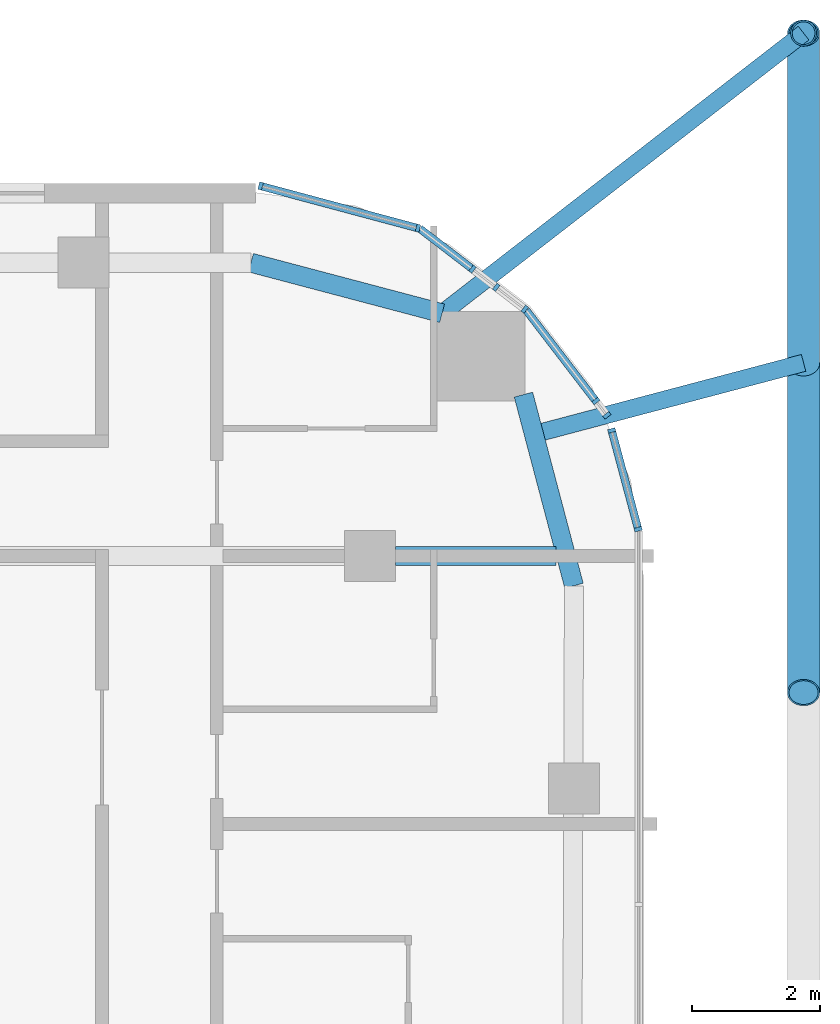
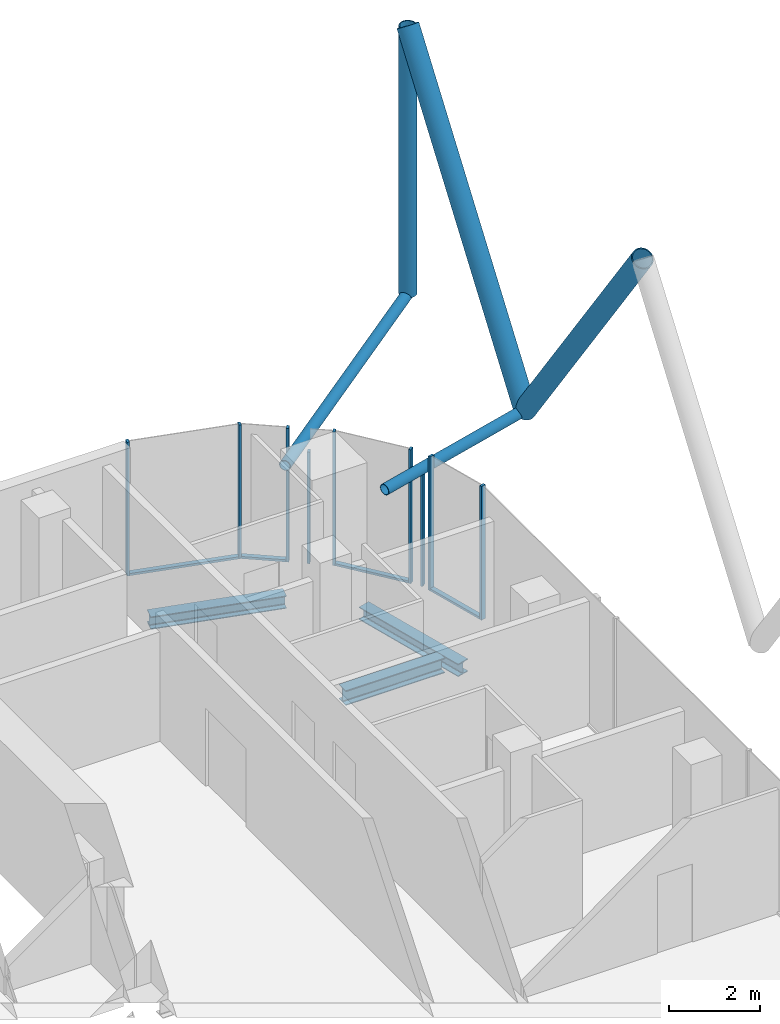
# One storey, part 11 of 31: 18 members, 3 beams, 7 elements without a shape of their own.
"""IFC4 building model written with IfcOpenShell, lengths in metres."""

import ifcopenshell
import ifcopenshell.guid

model = None  # the IFC model being written
_history = None  # IfcOwnerHistory: only IFC2X3 demands one
_inside = {}  # id of a spatial element -> (the spatial element, [elements in it])
_under = {}  # id of a project, library or spatial element -> (it, [spatial elements below it])
_declared = {}  # id of a project -> (the project, [libraries it declares])
_typed = {}  # id of a type object -> (the type object, [elements of that type])
_made_of = {}  # id of a material, layer set ... -> (it, [elements and type objects made of it])


def new_model(schema):
    """Start an empty IFC model of exactly this schema.

    Asked for "IFC4X3", IfcOpenShell would pick the latest addendum, in which some entities
    have other attributes; the version numbers below select the first issue.
    IFC2X3 requires an IfcOwnerHistory on every rooted entity: one is made here for all.
    """
    global model, _history
    if schema == "IFC4X3":
        model = ifcopenshell.file(schema_version=(4, 3, 0, 0))
    else:
        model = ifcopenshell.file(schema=schema)
    _inside.clear()
    _under.clear()
    _declared.clear()
    _typed.clear()
    _made_of.clear()
    _history = None
    if model.schema == "IFC2X3":
        org = make("IfcOrganization", Name="unknown")
        user = make(
            "IfcPersonAndOrganization",
            ThePerson=make("IfcPerson", FamilyName="unknown"),
            TheOrganization=org,
        )
        app = make(
            "IfcApplication",
            ApplicationDeveloper=org,
            Version="unknown",
            ApplicationFullName="unknown",
            ApplicationIdentifier="unknown",
        )
        _history = make(
            "IfcOwnerHistory",
            OwningUser=user,
            OwningApplication=app,
            ChangeAction="ADDED",
            CreationDate=0,
        )
    return model


def make(cls, **values):
    """One entity of the class cls with the attributes given. An attribute that is None is left unset."""
    return model.create_entity(
        cls, **{name: value for name, value in values.items() if value is not None}
    )


def rooted(cls, **values):
    """An entity with a GlobalId (a new one), such as an element, a storey or a relation."""
    return make(cls, GlobalId=ifcopenshell.guid.new(), OwnerHistory=_history, **values)


def si_unit(unit_type, name, prefix=None):
    """IfcSIUnit, for example si_unit("LENGTHUNIT", "METRE", prefix="MILLI")."""
    return make("IfcSIUnit", UnitType=unit_type, Prefix=prefix, Name=name)


def assignment(units):
    """IfcUnitAssignment: the units of a project."""
    return None if units is None else make("IfcUnitAssignment", Units=units)


def point(xyz):
    """IfcCartesianPoint."""
    return None if xyz is None else make("IfcCartesianPoint", Coordinates=xyz)


def direction(xyz):
    """IfcDirection."""
    return None if xyz is None else make("IfcDirection", DirectionRatios=xyz)


def frame(location, z_axis=None, x_axis=None):
    """IfcAxis2Placement3D, a coordinate frame: its origin and axes. An axis left out is left unset."""
    return make(
        "IfcAxis2Placement3D",
        Location=point(location),
        Axis=direction(z_axis),
        RefDirection=direction(x_axis),
    )


def frame_2d(location, x_axis=None):
    """IfcAxis2Placement2D, a coordinate frame in the plane: its origin and x axis."""
    return make(
        "IfcAxis2Placement2D", Location=point(location), RefDirection=direction(x_axis)
    )


def origin():
    """The frame at (0, 0, 0) with its axes left unset."""
    return frame((0.0, 0.0, 0.0))


def origin_2d():
    """The frame at (0, 0) in the plane with its x axis left unset."""
    return frame_2d((0.0, 0.0))


def place(relative_to, where):
    """IfcLocalPlacement: puts the frame where relative to a parent placement (None: the world)."""
    return make(
        "IfcLocalPlacement", PlacementRelTo=relative_to, RelativePlacement=where
    )


def context(
    kind, dimensions, precision=None, world=None, true_north=None, identifier=None
):
    """IfcGeometricRepresentationContext, for example the 3D "Model" context."""
    return make(
        "IfcGeometricRepresentationContext",
        ContextIdentifier=identifier,
        ContextType=kind,
        CoordinateSpaceDimension=dimensions,
        Precision=precision,
        WorldCoordinateSystem=world,
        TrueNorth=true_north,
    )


def subcontext(parent, identifier, kind, view, scale=None):
    """IfcGeometricRepresentationSubContext, for example "Body" below "Model"."""
    return make(
        "IfcGeometricRepresentationSubContext",
        ContextIdentifier=identifier,
        ContextType=kind,
        ParentContext=parent,
        TargetScale=scale,
        TargetView=view,
    )


def project(units=None, contexts=None):
    """IfcProject with its units and contexts."""
    return rooted(
        "IfcProject",
        Name="project",
        RepresentationContexts=contexts,
        UnitsInContext=assignment(units),
    )


def spatial(cls, under=None, at=None, **own):
    """A site, building, storey or space (cls), placed at a placement, below another one or the project."""
    s = rooted(cls, ObjectPlacement=at, **own)
    if under is not None:
        _under.setdefault(under.id(), (under, []))[1].append(s)
    return s


def profile(cls, at=None, kind="AREA", **sizes):
    """A parametric profile (cls). Its sizes go by their IFC names, for example OverallWidth=200.0."""
    return make(cls, ProfileType=kind, Position=at, **sizes)


def rectangle(**sizes):
    """IfcRectangleProfileDef."""
    return profile("IfcRectangleProfileDef", **sizes)


def hollow_circle(**sizes):
    """IfcCircleHollowProfileDef."""
    return profile("IfcCircleHollowProfileDef", **sizes)


def i_section(**sizes):
    """IfcIShapeProfileDef."""
    return profile("IfcIShapeProfileDef", **sizes)


def extrude(swept, where, along, depth):
    """IfcExtrudedAreaSolid: the profile swept, set in the frame where, extruded along a direction by depth."""
    return make(
        "IfcExtrudedAreaSolid",
        SweptArea=swept,
        Position=where,
        ExtrudedDirection=direction(along),
        Depth=depth,
    )


def shape(context_of_items, identifier, shape_type, items):
    """IfcShapeRepresentation: the items that make up one representation, for example the "Body"."""
    return make(
        "IfcShapeRepresentation",
        ContextOfItems=context_of_items,
        RepresentationIdentifier=identifier,
        RepresentationType=shape_type,
        Items=items,
    )


def material(Name=None, Category=None):
    """IfcMaterial."""
    return make("IfcMaterial", Name=Name, Category=Category)


def layer(
    of_material, thickness, ventilated=None, Name=None, Category=None, Priority=None
):
    """IfcMaterialLayer: one layer of a wall or slab, of a material (None: an air gap)."""
    return make(
        "IfcMaterialLayer",
        Material=of_material,
        LayerThickness=thickness,
        IsVentilated=ventilated,
        Name=Name,
        Category=Category,
        Priority=Priority,
    )


def layer_set(layers, Name=None):
    """IfcMaterialLayerSet."""
    return make("IfcMaterialLayerSet", MaterialLayers=layers, LayerSetName=Name)


def material_profile(
    of_material, cross_section, Name=None, Category=None, Priority=None
):
    """IfcMaterialProfile: a cross section and its material."""
    return make(
        "IfcMaterialProfile",
        Name=Name,
        Material=of_material,
        Profile=cross_section,
        Priority=Priority,
        Category=Category,
    )


def profile_set(profiles, Name=None, composite=None):
    """IfcMaterialProfileSet."""
    return make(
        "IfcMaterialProfileSet",
        Name=Name,
        MaterialProfiles=profiles,
        CompositeProfile=composite,
    )


def made_of(thing, what):
    """Note that an element or type object is made of a material, layer set ...; save() writes the relation."""
    if what is not None:
        _made_of.setdefault(what.id(), (what, []))[1].append(thing)
    return thing


def type_object(cls, material=None, **own):
    """A type object (cls), such as IfcWallType, which elements share."""
    return made_of(rooted(cls, **own), material)


def element(
    cls,
    number,
    at=None,
    inside=None,
    cuts=None,
    type_object=None,
    material=None,
    context=None,
    identifier="Body",
    shape_type=None,
    held_by="IfcProductDefinitionShape",
    body=None,
    shapes=None,
    **own,
):
    """One element of the class cls, such as IfcWall. Its Tag is "e" and its number.

    at: its placement. inside: the storey or other place that contains it. cuts: it is an
    opening in that element (IfcRelVoidsElement). A single representation is given by context,
    identifier, shape_type and body (its items); several are given by shapes. held_by: the class
    of the entity that holds the representations. save() writes the other relations.
    """
    e = rooted(cls, Tag="e%d" % number, ObjectPlacement=at, **own)
    if body is not None:
        shapes = [shape(context, identifier, shape_type, body)]
    if shapes is not None:
        e.Representation = make(held_by, Representations=shapes)
    if inside is not None:
        _inside.setdefault(inside.id(), (inside, []))[1].append(e)
    if cuts is not None:
        rooted(
            "IfcRelVoidsElement", RelatingBuildingElement=cuts, RelatedOpeningElement=e
        )
    if type_object is not None:
        _typed.setdefault(type_object.id(), (type_object, []))[1].append(e)
    return made_of(e, material)


def aggregate(whole, parts):
    """IfcRelAggregates: a whole, such as a stair, and the parts it consists of."""
    return rooted("IfcRelAggregates", RelatingObject=whole, RelatedObjects=parts)


def save(model, path):
    """Write the relations noted so far, then the file.

    IfcRelAggregates (storeys below a building ...), IfcRelContainedInSpatialStructure (elements
    in a storey), IfcRelDefinesByType, IfcRelAssociatesMaterial and IfcRelDeclares: one each for
    every whole, place, type object, material and project.
    """
    for whole, parts in _under.values():
        aggregate(whole, parts)
    for where, things in _inside.values():
        rooted(
            "IfcRelContainedInSpatialStructure",
            RelatedElements=things,
            RelatingStructure=where,
        )
    for kind, things in _typed.values():
        rooted("IfcRelDefinesByType", RelatedObjects=things, RelatingType=kind)
    for what, things in _made_of.values():
        rooted("IfcRelAssociatesMaterial", RelatedObjects=things, RelatingMaterial=what)
    for by, libraries in _declared.values():
        rooted("IfcRelDeclares", RelatingContext=by, RelatedDefinitions=libraries)
    model.write(path)


model = new_model("IFC4")

# Units and contexts
model_context = context("Model", 3, precision=1e-05, world=origin(), true_north=direction((0.0, 1.0)))
body_context = subcontext(model_context, "Body", "Model", "MODEL_VIEW")
ifc_project = project(units=[si_unit("LENGTHUNIT", "METRE"), si_unit("AREAUNIT", "SQUARE_METRE"), si_unit("VOLUMEUNIT", "CUBIC_METRE"), si_unit("PLANEANGLEUNIT", "RADIAN"), si_unit("MASSUNIT", "GRAM", prefix="KILO")], contexts=[model_context])

# Site, building, storey
site_placement = place(None, origin())
site = spatial("IfcSite", under=ifc_project, at=site_placement, CompositionType="ELEMENT")
building_placement = place(site_placement, origin())
building = spatial("IfcBuilding", under=site, at=building_placement, Name="Marenta Gate Hotel Tower", CompositionType="ELEMENT")
storey_placement = place(building_placement, frame((0.0, 0.0, 234.5)))
storey = spatial("IfcBuildingStorey", under=building, at=storey_placement, Name="L55", CompositionType="ELEMENT", Elevation=234.5)

# Members
ifc_material_1 = material(Name="Steel S355J2W", Category="steel")
ifc_material_profile_1 = material_profile(ifc_material_1, hollow_circle(Radius=0.203125, WallThickness=0.02490234375, at=origin_2d()), Name="CHS 406.4x25")
ifc_profile_set_1 = profile_set([ifc_material_profile_1], Name="Steel S355J2W")
member_type_1 = type_object("IfcMemberType", Name="Diagrid corner post Z3 CHS 406.4x25", PredefinedType="POST", material=ifc_profile_set_1)
member_1_placement = place(storey_placement, frame((27.800048828125, 25.0, 3.139892578125), z_axis=(0.0, 0.0, 1.0), x_axis=(1.0, 0.0, 0.0)))
element("IfcMember", 1, at=member_1_placement, inside=storey, type_object=member_type_1, Name="L55-DR-1", PredefinedType="POST", context=body_context, shape_type="SweptSolid", body=[
    extrude(hollow_circle(Radius=0.203125, WallThickness=0.02490234375, at=origin_2d()), origin(), (0.0, 0.0, 1.0), 7.2001953125),
])
ifc_material_2 = material(Name="Steel S355J2W", Category="steel")
ifc_material_profile_2 = material_profile(ifc_material_2, hollow_circle(Radius=0.25390625, WallThickness=0.02490234375, at=origin_2d()), Name="CHS 508x25")
ifc_profile_set_2 = profile_set([ifc_material_profile_2], Name="Steel S355J2W")
member_type_2 = type_object("IfcMemberType", Name="Diagrid diagonal Z3 CHS 508x25", PredefinedType="BRACE", material=ifc_profile_set_2)
member_2_placement = place(storey_placement, frame((27.800048828125, 19.830078125, 3.139892578125), z_axis=(0.0, 0.583247791947, 0.812294289767), x_axis=(-1.0, 0.0, 0.0)))
element("IfcMember", 2, at=member_2_placement, inside=storey, type_object=member_type_2, Name="L55-DG-1", PredefinedType="BRACE", context=body_context, shape_type="SweptSolid", body=[
    extrude(hollow_circle(Radius=0.25390625, WallThickness=0.02490234375, at=origin_2d()), origin(), (0.0, 0.0, 1.0), 8.864013671875),
])
member_3_placement = place(storey_placement, frame((27.800048828125, 19.830078125, 3.139892578125), z_axis=(0.0, -0.583265964901, 0.81228124082), x_axis=(1.0, 0.0, 0.0)))
element("IfcMember", 3, at=member_3_placement, inside=storey, type_object=member_type_2, Name="L55-DG-2", PredefinedType="BRACE", context=body_context, shape_type="SweptSolid", body=[
    extrude(hollow_circle(Radius=0.25390625, WallThickness=0.02490234375, at=origin_2d()), origin(), (0.0, 0.0, 1.0), 8.8642578125),
])

# Beams
ifc_material_3 = material(Name="Steel S355", Category="steel")
ifc_material_profile_3 = material_profile(ifc_material_3, i_section(OverallWidth=0.300048828125, OverallDepth=0.340087890625, WebThickness=0.011962890625, FlangeThickness=0.021484375, FilletRadius=0.027099609375, at=origin_2d()), Name="HEB 340")
ifc_profile_set_3 = profile_set([ifc_material_profile_3], Name="Steel S355")
beam_type_1 = type_object("IfcBeamType", Name="Edge beam HEB 340", PredefinedType="SPANDREL", material=ifc_profile_set_3)
beam_1_placement = place(storey_placement, frame((19.134521484375, 21.39990234375, -0.429931640625), z_axis=(0.9667647815, -0.25566747398, 0.0), x_axis=(0.25566747398, 0.9667647815, 0.0)))
element("IfcBeam", 4, at=beam_1_placement, inside=storey, type_object=beam_type_1, Name="L55-EB-20", PredefinedType="SPANDREL", context=body_context, shape_type="SweptSolid", body=[
    extrude(i_section(OverallWidth=0.300048828125, OverallDepth=0.340087890625, WebThickness=0.011962890625, FlangeThickness=0.021484375, FilletRadius=0.027099609375, at=origin_2d()), origin(), (0.0, 0.0, 1.0), 3.1005859375),
])
beam_2_placement = place(storey_placement, frame((23.4072265625, 19.332275390625, -0.429931640625), z_axis=(0.255648013319, -0.966769927794, 0.0), x_axis=(0.966769927794, 0.255648013319, 0.0)))
element("IfcBeam", 5, at=beam_2_placement, inside=storey, type_object=beam_type_1, Name="L55-EB-21", PredefinedType="SPANDREL", context=body_context, shape_type="SweptSolid", body=[
    extrude(i_section(OverallWidth=0.300048828125, OverallDepth=0.340087890625, WebThickness=0.011962890625, FlangeThickness=0.021484375, FilletRadius=0.027099609375, at=origin_2d()), origin(), (0.0, 0.0, 1.0), 3.100830078125),
])

# Members
ifc_material_4 = material(Name="Steel S355J2W", Category="steel")
ifc_material_profile_4 = material_profile(ifc_material_4, hollow_circle(Radius=0.136474609375, WallThickness=0.012451171875, at=origin_2d()), Name="CHS 273x12.5")
ifc_profile_set_4 = profile_set([ifc_material_profile_4], Name="Steel S355J2W")
member_type_3 = type_object("IfcMemberType", Name="Floor tie CHS 273x12.5", PredefinedType="STRUT", material=ifc_profile_set_4)
member_4_placement = place(storey_placement, frame((27.800048828125, 25.0, 3.139892578125), z_axis=(-0.790398962363, -0.61259242592, 0.0), x_axis=(0.61259242592, -0.790398962363, 0.0)))
element("IfcMember", 6, at=member_4_placement, inside=storey, type_object=member_type_3, Name="L55-DR-7", PredefinedType="STRUT", context=body_context, shape_type="SweptSolid", body=[
    extrude(hollow_circle(Radius=0.136474609375, WallThickness=0.012451171875, at=origin_2d()), origin(), (0.0, 0.0, 1.0), 7.163330078125),
])
member_5_placement = place(storey_placement, frame((27.800048828125, 19.830078125, 3.139892578125), z_axis=(-0.966769042409, -0.255651361506, 0.0), x_axis=(0.255651361506, -0.966769042409, 0.0)))
element("IfcMember", 7, at=member_5_placement, inside=storey, type_object=member_type_3, Name="L55-DR-8", PredefinedType="STRUT", context=body_context, shape_type="SweptSolid", body=[
    extrude(hollow_circle(Radius=0.136474609375, WallThickness=0.012451171875, at=origin_2d()), origin(), (0.0, 0.0, 1.0), 4.3681640625),
])

# Beam
ifc_material_5 = material(Name="Steel S355", Category="steel")
ifc_material_profile_5 = material_profile(ifc_material_5, i_section(OverallWidth=0.300048828125, OverallDepth=0.39990234375, WebThickness=0.013427734375, FlangeThickness=0.02392578125, FilletRadius=0.027099609375, at=origin_2d()), Name="HEB 400")
ifc_profile_set_5 = profile_set([ifc_material_profile_5], Name="Steel S355")
beam_type_2 = type_object("IfcBeamType", Name="Girder HEB 400", PredefinedType="BEAM", material=ifc_profile_set_5)
beam_3_placement = place(storey_placement, frame((21.39990234375, 16.800048828125, -0.4599609375), z_axis=(1.0, 0.0, 0.0), x_axis=(0.0, 1.0, 0.0)))
element("IfcBeam", 8, at=beam_3_placement, inside=storey, type_object=beam_type_2, Name="L55-GD-33", PredefinedType="BEAM", context=body_context, shape_type="SweptSolid", body=[
    extrude(i_section(OverallWidth=0.300048828125, OverallDepth=0.39990234375, WebThickness=0.013427734375, FlangeThickness=0.02392578125, FilletRadius=0.027099609375, at=origin_2d()), origin(), (0.0, 0.0, 1.0), 2.521728515625),
])

# Curtain wall, members
ifc_material_6 = material(Name="Tinted insulated glass in bronze anodised frame", Category="glass")
ifc_layer = layer(ifc_material_6, 0.1201171875)
ifc_layer_set = layer_set([ifc_layer], Name="Tinted insulated glass in bronze anodised frame")
curtain_wall_type = type_object("IfcCurtainWallType", Name="Tower unitised curtain wall CW1", PredefinedType="NOTDEFINED", material=ifc_layer_set)
curtain_wall_1_placement = place(storey_placement, origin())
curtain_wall_1 = element("IfcCurtainWall", 9, at=curtain_wall_1_placement, inside=storey, type_object=curtain_wall_type, Name="CW1 run G35", PredefinedType="NOTDEFINED")
ifc_material_7 = material(Name="Bronze anodised aluminium", Category="aluminium")
ifc_material_profile_6 = material_profile(ifc_material_7, rectangle(XDim=0.1201171875, YDim=0.06005859375, at=origin_2d()), Name="Mullion CW1 60x120 bronze anodised aluminium")
ifc_profile_set_6 = profile_set([ifc_material_profile_6], Name="Bronze anodised aluminium")
member_type_4 = type_object("IfcMemberType", Name="Mullion CW1 60x120 bronze anodised aluminium", PredefinedType="MULLION", material=ifc_profile_set_6)
member_6_placement = place(storey_placement, frame((25.206298828125, 17.220947265625, 0.0), z_axis=(0.0, 0.0, 1.0), x_axis=(-0.965922818295, -0.25883027083, 0.0)))
member_6 = element("IfcMember", 10, at=member_6_placement, type_object=member_type_4, Name="CW1 mullion 1", PredefinedType="MULLION", context=body_context, shape_type="SweptSolid", body=[
    extrude(rectangle(XDim=0.1201171875, YDim=0.06005859375, at=origin_2d()), origin(), (0.0, 0.0, 1.0), 3.60009765625),
])
member_7_placement = place(storey_placement, frame((24.791259765625, 18.76904296875, 0.0), z_axis=(0.0, 0.0, 1.0), x_axis=(-0.965922818295, -0.25883027083, 0.0)))
member_7 = element("IfcMember", 11, at=member_7_placement, type_object=member_type_4, Name="CW1 mullion 2", PredefinedType="MULLION", context=body_context, shape_type="SweptSolid", body=[
    extrude(rectangle(XDim=0.1201171875, YDim=0.06005859375, at=origin_2d()), origin(), (0.0, 0.0, 1.0), 3.60009765625),
])

# Curtain wall, member
curtain_wall_2_placement = place(storey_placement, origin())
curtain_wall_2 = element("IfcCurtainWall", 12, at=curtain_wall_2_placement, inside=storey, type_object=curtain_wall_type, Name="CW1 run G36", PredefinedType="NOTDEFINED")
member_8_placement = place(storey_placement, frame((24.7158203125, 19.00634765625, 0.0), z_axis=(0.0, 0.0, 1.0), x_axis=(-0.793317236047, -0.608808478087, 0.0)))
member_8 = element("IfcMember", 13, at=member_8_placement, type_object=member_type_4, Name="CW1 mullion 1", PredefinedType="MULLION", context=body_context, shape_type="SweptSolid", body=[
    extrude(rectangle(XDim=0.1201171875, YDim=0.06005859375, at=origin_2d()), origin(), (0.0, 0.0, 1.0), 3.00048828125),
])
aggregate(curtain_wall_2, [member_8])

curtain_wall_3_placement = place(storey_placement, origin())
curtain_wall_3 = element("IfcCurtainWall", 14, at=curtain_wall_3_placement, inside=storey, type_object=curtain_wall_type, Name="CW1 run G37", PredefinedType="NOTDEFINED")
member_9_placement = place(storey_placement, frame((24.54296875, 19.231689453125, 0.0), z_axis=(0.0, 0.0, 1.0), x_axis=(-0.79333584573, -0.608784227687, 0.0)))
member_9 = element("IfcMember", 15, at=member_9_placement, type_object=member_type_4, Name="CW1 mullion 1", PredefinedType="MULLION", context=body_context, shape_type="SweptSolid", body=[
    extrude(rectangle(XDim=0.1201171875, YDim=0.06005859375, at=origin_2d()), origin(), (0.0, 0.0, 1.0), 3.60009765625),
])

curtain_wall_4_placement = place(storey_placement, origin())
curtain_wall_4 = element("IfcCurtainWall", 16, at=curtain_wall_4_placement, inside=storey, type_object=curtain_wall_type, Name="CW1 run G38", PredefinedType="NOTDEFINED")
member_10_placement = place(storey_placement, frame((23.4287109375, 20.6708984375, 0.0), z_axis=(0.0, 0.0, 1.0), x_axis=(-0.608769572677, -0.793347091368, 0.0)))
member_10 = element("IfcMember", 17, at=member_10_placement, type_object=member_type_4, Name="CW1 mullion 1", PredefinedType="MULLION", context=body_context, shape_type="SweptSolid", body=[
    extrude(rectangle(XDim=0.1201171875, YDim=0.06005859375, at=origin_2d()), origin(), (0.0, 0.0, 1.0), 3.60009765625),
])
aggregate(curtain_wall_4, [member_10])

curtain_wall_5_placement = place(storey_placement, origin())
curtain_wall_5 = element("IfcCurtainWall", 18, at=curtain_wall_5_placement, inside=storey, type_object=curtain_wall_type, Name="CW1 run G39", PredefinedType="NOTDEFINED")
member_11_placement = place(storey_placement, frame((22.98046875, 21.014892578125, 0.0), z_axis=(0.0, 0.0, 1.0), x_axis=(-0.608843780404, -0.793290143052, 0.0)))
member_11 = element("IfcMember", 19, at=member_11_placement, type_object=member_type_4, Name="CW1 mullion 1", PredefinedType="MULLION", context=body_context, shape_type="SweptSolid", body=[
    extrude(rectangle(XDim=0.1201171875, YDim=0.06005859375, at=origin_2d()), origin(), (0.0, 0.0, 1.0), 3.00048828125),
])
aggregate(curtain_wall_5, [member_11])

curtain_wall_6_placement = place(storey_placement, origin())
curtain_wall_6 = element("IfcCurtainWall", 20, at=curtain_wall_6_placement, inside=storey, type_object=curtain_wall_type, Name="CW1 run G40", PredefinedType="NOTDEFINED")
member_12_placement = place(storey_placement, frame((22.60888671875, 21.300048828125, 0.0), z_axis=(0.0, 0.0, 1.0), x_axis=(-0.60877235005, -0.793344960162, 0.0)))
member_12 = element("IfcMember", 21, at=member_12_placement, type_object=member_type_4, Name="CW1 mullion 1", PredefinedType="MULLION", context=body_context, shape_type="SweptSolid", body=[
    extrude(rectangle(XDim=0.1201171875, YDim=0.06005859375, at=origin_2d()), origin(), (0.0, 0.0, 1.0), 3.60009765625),
])

# Curtain wall, members
curtain_wall_7_placement = place(storey_placement, origin())
curtain_wall_7 = element("IfcCurtainWall", 22, at=curtain_wall_7_placement, inside=storey, type_object=curtain_wall_type, Name="CW1 run G41", PredefinedType="NOTDEFINED")
member_13_placement = place(storey_placement, frame((21.75341796875, 21.94189453125, 0.0), z_axis=(0.0, 0.0, 1.0), x_axis=(-0.258804895175, -0.96592961764, 0.0)))
member_13 = element("IfcMember", 23, at=member_13_placement, type_object=member_type_4, Name="CW1 mullion 1", PredefinedType="MULLION", context=body_context, shape_type="SweptSolid", body=[
    extrude(rectangle(XDim=0.1201171875, YDim=0.06005859375, at=origin_2d()), origin(), (0.0, 0.0, 1.0), 3.60009765625),
])
member_14_placement = place(storey_placement, frame((19.285400390625, 22.603271484375, 0.0), z_axis=(0.0, 0.0, 1.0), x_axis=(-0.258804895175, -0.96592961764, 0.0)))
member_14 = element("IfcMember", 24, at=member_14_placement, type_object=member_type_4, Name="CW1 mullion 2", PredefinedType="MULLION", context=body_context, shape_type="SweptSolid", body=[
    extrude(rectangle(XDim=0.1201171875, YDim=0.06005859375, at=origin_2d()), origin(), (0.0, 0.0, 1.0), 3.60009765625),
])

# Member
ifc_material_8 = material(Name="Bronze anodised aluminium", Category="aluminium")
ifc_material_profile_7 = material_profile(ifc_material_8, rectangle(XDim=0.1201171875, YDim=0.06005859375, at=origin_2d()), Name="Transom CW1 60x120 bronze anodised aluminium")
ifc_profile_set_7 = profile_set([ifc_material_profile_7], Name="Bronze anodised aluminium")
member_type_5 = type_object("IfcMemberType", Name="Transom CW1 60x120 bronze anodised aluminium", PredefinedType="USERDEFINED", material=ifc_profile_set_7)
member_15_placement = place(storey_placement, frame((25.198486328125, 17.249755859375, 0.030029296875), z_axis=(-0.258844166869, 0.965919094582, 0.0), x_axis=(-0.965919094582, -0.258844166869, 0.0)))
member_15 = element("IfcMember", 25, at=member_15_placement, type_object=member_type_5, Name="CW1 transom 1.1", ObjectType="TRANSOM", PredefinedType="USERDEFINED", context=body_context, shape_type="SweptSolid", body=[
    extrude(rectangle(XDim=0.1201171875, YDim=0.06005859375, at=origin_2d()), origin(), (0.0, 0.0, 1.0), 1.54296875),
])

aggregate(curtain_wall_1, [member_6, member_7, member_15])

member_16_placement = place(storey_placement, frame((24.524658203125, 19.25537109375, 0.030029296875), z_axis=(-0.608725448508, 0.793380947804, 0.0), x_axis=(-0.793380947804, -0.608725448508, 0.0)))
member_16 = element("IfcMember", 26, at=member_16_placement, type_object=member_type_5, Name="CW1 transom 1.1", ObjectType="TRANSOM", PredefinedType="USERDEFINED", context=body_context, shape_type="SweptSolid", body=[
    extrude(rectangle(XDim=0.1201171875, YDim=0.06005859375, at=origin_2d()), origin(), (0.0, 0.0, 1.0), 1.760986328125),
])

aggregate(curtain_wall_3, [member_9, member_16])

member_17_placement = place(storey_placement, frame((22.585205078125, 21.318359375, 0.030029296875), z_axis=(-0.793466512091, 0.608613912255, 0.0), x_axis=(-0.608613912255, -0.793466512091, 0.0)))
member_17 = element("IfcMember", 27, at=member_17_placement, type_object=member_type_5, Name="CW1 transom 1.1", ObjectType="TRANSOM", PredefinedType="USERDEFINED", context=body_context, shape_type="SweptSolid", body=[
    extrude(rectangle(XDim=0.1201171875, YDim=0.06005859375, at=origin_2d()), origin(), (0.0, 0.0, 1.0), 1.01171875),
])

aggregate(curtain_wall_6, [member_12, member_17])

member_18_placement = place(storey_placement, frame((21.724609375, 21.94970703125, 0.030029296875), z_axis=(-0.965930582093, 0.258801295547, 0.0), x_axis=(-0.258801295547, -0.965930582093, 0.0)))
member_18 = element("IfcMember", 28, at=member_18_placement, type_object=member_type_5, Name="CW1 transom 1.1", ObjectType="TRANSOM", PredefinedType="USERDEFINED", context=body_context, shape_type="SweptSolid", body=[
    extrude(rectangle(XDim=0.1201171875, YDim=0.06005859375, at=origin_2d()), origin(), (0.0, 0.0, 1.0), 2.4951171875),
])

aggregate(curtain_wall_7, [member_13, member_14, member_18])

save(model, "model.ifc")
